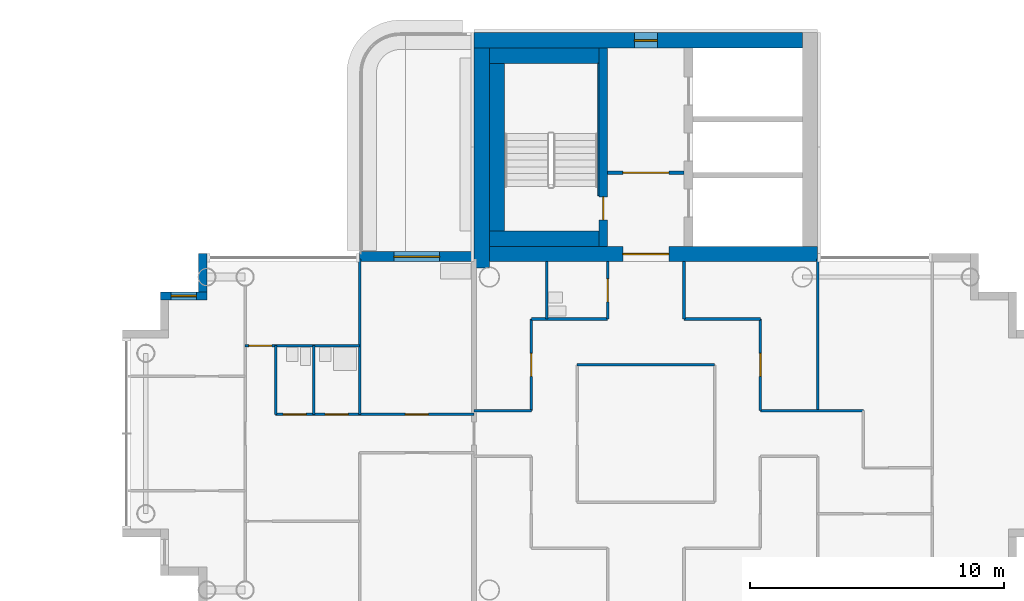
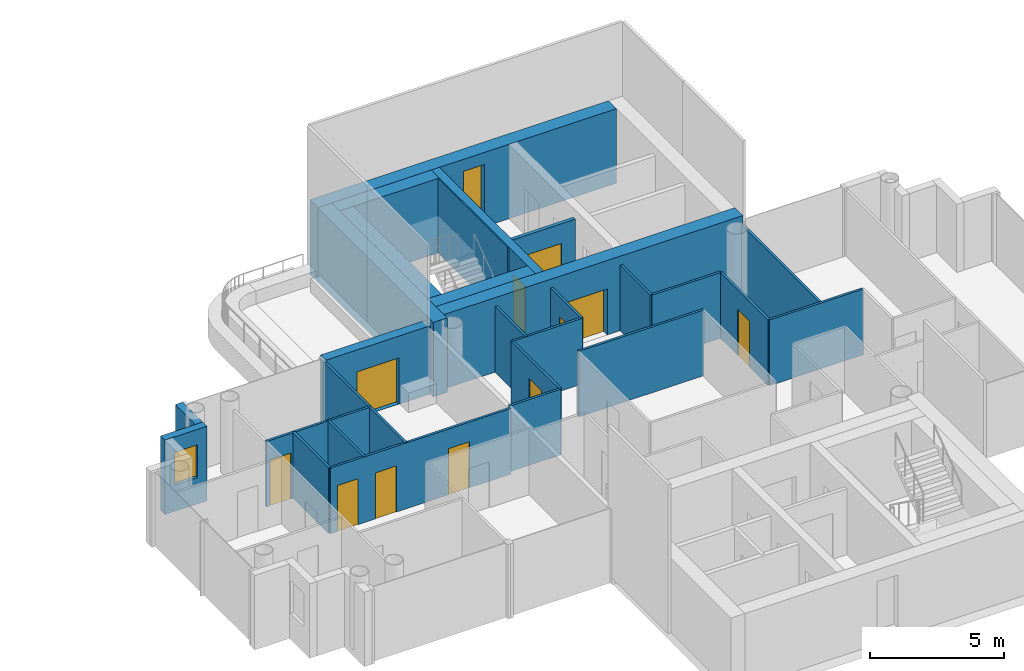
# One storey, part 10 of 18: 28 walls, 11 doors, 2 windows, 13 openings.
"""IFC4 building model written with IfcOpenShell, lengths in metres."""

from ifc_helpers import new_model, si_unit, direction, frame, frame_2d, origin, place, context, subcontext, project, spatial, rectangle, extrude, material, layer, layer_set, type_object, element, fill, save


model = new_model("IFC4")

# Units and contexts
model_context = context("Model", 3, precision=1e-05, world=origin(), true_north=direction((0.0, 1.0)))
body_context = subcontext(model_context, "Body", "Model", "MODEL_VIEW")
ifc_project = project(units=[si_unit("LENGTHUNIT", "METRE"), si_unit("AREAUNIT", "SQUARE_METRE"), si_unit("VOLUMEUNIT", "CUBIC_METRE"), si_unit("PLANEANGLEUNIT", "RADIAN"), si_unit("MASSUNIT", "GRAM", prefix="KILO")], contexts=[model_context])

# Site, building, storey
site_placement = place(None, origin())
site = spatial("IfcSite", under=ifc_project, at=site_placement, CompositionType="ELEMENT")
building_placement = place(site_placement, origin())
building = spatial("IfcBuilding", under=site, at=building_placement, Name="Ipe Terrace Towers", CompositionType="ELEMENT")
storey_placement = place(building_placement, frame((0.0, 0.0, 199.39990234375)))
storey = spatial("IfcBuildingStorey", under=building, at=storey_placement, Name="L55", CompositionType="ELEMENT", Elevation=199.39990234375)

# Wall, opening, door
ifc_material_1 = material(Name="Concrete C40/50 with buff precast cladding", Category="concrete")
ifc_layer_1 = layer(ifc_material_1, 0.39990234375)
ifc_layer_set_1 = layer_set([ifc_layer_1], Name="BALCONY BAY WALL 400")
wall_type_1 = type_object("IfcWallType", Name="BALCONY BAY WALL 400", PredefinedType="STANDARD", material=ifc_layer_set_1)
wall_1_placement = place(storey_placement, frame((29.25, 6.949951171875, -0.02001953125), z_axis=(0.0, 0.0, 1.0), x_axis=(-1.0, 0.0, 0.0)))
wall_1 = element("IfcWall", 1, at=wall_1_placement, inside=storey, type_object=wall_type_1, Name="T2-W-L55-20a wall", PredefinedType="STANDARD", context=body_context, shape_type="SweptSolid", body=[
    extrude(rectangle(XDim=4.5, YDim=0.39990234375, at=frame_2d((2.25, 0.0))), origin(), (0.0, 0.0, 1.0), 3.1201171875),
])
opening_1_placement = place(wall_1_placement, frame((1.35009765625, 0.0, 0.02001953125)))
opening_1 = element("IfcOpeningElement", 2, at=opening_1_placement, cuts=wall_1, Name="Opening T2-D-L55-20", PredefinedType="OPENING", context=body_context, shape_type="SweptSolid", body=[
    extrude(rectangle(XDim=1.800048828125, YDim=2.10009765625, at=frame_2d((0.89990234375, 1.050048828125))), frame((0.0, 0.2099609375, 0.0), z_axis=(0.0, -1.0, 0.0), x_axis=(1.0, 0.0, 0.0)), (0.0, 0.0, 1.0), 0.419921875),
])
ifc_material_2 = material(Name="Aluminium alloy 6063-T6 framed glazed door", Category="aluminium")
door_type_1 = type_object("IfcDoorType", Name="BALCONY DOOR 1800 x 2100 RIGHT", OperationType="SINGLE_SWING_RIGHT", PredefinedType="DOOR", material=ifc_material_2)
door_1_placement = place(opening_1_placement, origin())
door_1 = element("IfcDoor", 3, at=door_1_placement, inside=storey, type_object=door_type_1, Name="DB2 door", OperationType="SINGLE_SWING_RIGHT", OverallHeight=2.10009765625, OverallWidth=1.800048828125, PredefinedType="DOOR", context=body_context, shape_type="SweptSolid", body=[
    extrude(rectangle(XDim=1.800048828125, YDim=2.10009765625, at=frame_2d((0.89990234375, 1.050048828125))), frame((0.0, 0.02490234375, 0.0), z_axis=(0.0, -1.0, 0.0), x_axis=(1.0, 0.0, 0.0)), (0.0, 0.0, 1.0), 0.050048828125),
])
fill(opening_1, door_1)

# Wall
ifc_material_3 = material(Name="Concrete C40/50 with buff precast cladding", Category="concrete")
ifc_layer_2 = layer(ifc_material_3, 0.320068359375)
ifc_layer_set_2 = layer_set([ifc_layer_2], Name="BUFF CLADDING WALL 320")
wall_type_2 = type_object("IfcWallType", Name="BUFF CLADDING WALL 320", PredefinedType="STANDARD", material=ifc_layer_set_2)
wall_2_placement = place(storey_placement, frame((18.590087890625, 7.070068359375, -0.2998046875), z_axis=(0.0, 0.0, 1.0), x_axis=(0.0, -1.0, 0.0)))
element("IfcWall", 4, at=wall_2_placement, inside=storey, type_object=wall_type_2, Name="T2-W-L55-22a wall", PredefinedType="STANDARD", context=body_context, shape_type="SweptSolid", body=[
    extrude(rectangle(XDim=1.5, YDim=0.320068359375, at=frame_2d((0.75, 0.0))), origin(), (0.0, 0.0, 1.0), 3.39990234375),
])

# Wall, opening, window
wall_3_placement = place(storey_placement, frame((18.75, 5.409912109375, -0.2998046875), z_axis=(0.0, 0.0, 1.0), x_axis=(-1.0, 0.0, 0.0)))
wall_3 = element("IfcWall", 5, at=wall_3_placement, inside=storey, type_object=wall_type_2, Name="T2-W-L55-23a wall", PredefinedType="STANDARD", context=body_context, shape_type="SweptSolid", body=[
    extrude(rectangle(XDim=1.820068359375, YDim=0.320068359375, at=frame_2d((0.91015625, 0.0))), origin(), (0.0, 0.0, 1.0), 3.39990234375),
])
opening_2_placement = place(wall_3_placement, frame((0.409912109375, 0.0, 1.199951171875)))
opening_2 = element("IfcOpeningElement", 6, at=opening_2_placement, cuts=wall_3, Name="Opening T2-W-05-L55-02", PredefinedType="OPENING", context=body_context, shape_type="SweptSolid", body=[
    extrude(rectangle(XDim=1.0, YDim=1.5, at=frame_2d((0.5, 0.75))), frame((0.0, 0.169921875, 0.0), z_axis=(0.0, -1.0, 0.0), x_axis=(1.0, 0.0, 0.0)), (0.0, 0.0, 1.0), 0.340087890625),
])
ifc_material_4 = material(Name="Glass, clear laminated", Category="glass")
window_type_1 = type_object("IfcWindowType", Name="DWELLING WINDOW 1000 x 1500", PartitioningType="SINGLE_PANEL", PredefinedType="WINDOW", material=ifc_material_4)
window_1_placement = place(opening_2_placement, origin())
window_1 = element("IfcWindow", 7, at=window_1_placement, inside=storey, type_object=window_type_1, Name="W-05 window", OverallHeight=1.5, OverallWidth=1.0, PartitioningType="SINGLE_PANEL", PredefinedType="WINDOW", context=body_context, shape_type="SweptSolid", body=[
    extrude(rectangle(XDim=1.0, YDim=1.5, at=frame_2d((0.5, 0.75))), frame((0.0, 0.030029296875, 0.0), z_axis=(0.0, -1.0, 0.0), x_axis=(1.0, 0.0, 0.0)), (0.0, 0.0, 1.0), 0.06005859375),
])
fill(opening_2, window_1)

# Wall, openings, doors
ifc_material_5 = material(Name="Gypsum board partition", Category="plasterboard")
ifc_layer_3 = layer(ifc_material_5, 0.10009765625)
ifc_layer_set_3 = layer_set([ifc_layer_3], Name="Gypsum board partition 100 mm")
wall_type_3 = type_object("IfcWallType", Name="Gypsum board partition 100 mm", PredefinedType="PARTITIONING", material=ifc_layer_set_3)
wall_4_placement = place(storey_placement, frame((29.25, 0.75, 0.0), z_axis=(0.0, 0.0, 1.0), x_axis=(-1.0, 0.0, 0.0)))
wall_4 = element("IfcWall", 8, at=wall_4_placement, inside=storey, type_object=wall_type_3, Name="Gypsum board partition T2 L55 W11", PredefinedType="PARTITIONING", context=body_context, shape_type="SweptSolid", body=[
    extrude(rectangle(XDim=7.800048828125, YDim=0.10009765625, at=frame_2d((3.89990234375, 0.0))), origin(), (0.0, 0.0, 1.0), 3.0),
])
opening_3_placement = place(wall_4_placement, frame((1.800048828125, 0.0, 0.0)))
opening_3 = element("IfcOpeningElement", 9, at=opening_3_placement, cuts=wall_4, Name="Opening T2-Z4D-08", PredefinedType="OPENING", context=body_context, shape_type="SweptSolid", body=[
    extrude(rectangle(XDim=0.89990234375, YDim=2.10009765625, at=frame_2d((0.449951171875, 1.050048828125))), frame((0.0, 0.06005859375, 0.0), z_axis=(0.0, -1.0, 0.0), x_axis=(1.0, 0.0, 0.0)), (0.0, 0.0, 1.0), 0.1201171875),
])
opening_4_placement = place(wall_4_placement, frame((4.949951171875, 0.0, 0.0)))
opening_4 = element("IfcOpeningElement", 10, at=opening_4_placement, cuts=wall_4, Name="Opening T2-Z4D-10", PredefinedType="OPENING", context=body_context, shape_type="SweptSolid", body=[
    extrude(rectangle(XDim=0.89990234375, YDim=2.10009765625, at=frame_2d((0.449951171875, 1.050048828125))), frame((0.0, 0.06005859375, 0.0), z_axis=(0.0, -1.0, 0.0), x_axis=(1.0, 0.0, 0.0)), (0.0, 0.0, 1.0), 0.1201171875),
])
opening_5_placement = place(wall_4_placement, frame((6.60009765625, 0.0, 0.0)))
opening_5 = element("IfcOpeningElement", 11, at=opening_5_placement, cuts=wall_4, Name="Opening T2-Z4D-11", PredefinedType="OPENING", context=body_context, shape_type="SweptSolid", body=[
    extrude(rectangle(XDim=0.89990234375, YDim=2.10009765625, at=frame_2d((0.449951171875, 1.050048828125))), frame((0.0, 0.06005859375, 0.0), z_axis=(0.0, -1.0, 0.0), x_axis=(1.0, 0.0, 0.0)), (0.0, 0.0, 1.0), 0.1201171875),
])
ifc_material_6 = material(Name="Timber door leaf", Category="wood")
door_type_2 = type_object("IfcDoorType", Name="Bathroom door 900 x 2100", OperationType="NOTDEFINED", PredefinedType="DOOR", material=ifc_material_6)
door_2_placement = place(opening_4_placement, origin())
door_2 = element("IfcDoor", 12, at=door_2_placement, inside=storey, type_object=door_type_2, Name="Bathroom door T2-Z4D-10", OperationType="SINGLE_SWING_RIGHT", OverallHeight=2.10009765625, OverallWidth=0.89990234375, PredefinedType="DOOR", context=body_context, shape_type="SweptSolid", body=[
    extrude(rectangle(XDim=0.89990234375, YDim=2.10009765625, at=frame_2d((0.449951171875, 1.050048828125))), frame((0.0, 0.02490234375, 0.0), z_axis=(0.0, -1.0, 0.0), x_axis=(1.0, 0.0, 0.0)), (0.0, 0.0, 1.0), 0.050048828125),
])
fill(opening_4, door_2)
door_3_placement = place(opening_5_placement, origin())
door_3 = element("IfcDoor", 13, at=door_3_placement, inside=storey, type_object=door_type_2, Name="Bathroom door T2-Z4D-11", OperationType="SINGLE_SWING_RIGHT", OverallHeight=2.10009765625, OverallWidth=0.89990234375, PredefinedType="DOOR", context=body_context, shape_type="SweptSolid", body=[
    extrude(rectangle(XDim=0.89990234375, YDim=2.10009765625, at=frame_2d((0.449951171875, 1.050048828125))), frame((0.0, 0.02490234375, 0.0), z_axis=(0.0, -1.0, 0.0), x_axis=(1.0, 0.0, 0.0)), (0.0, 0.0, 1.0), 0.050048828125),
])
fill(opening_5, door_3)
ifc_material_7 = material(Name="Timber door leaf", Category="wood")
door_type_3 = type_object("IfcDoorType", Name="Lounge door 900 x 2100", OperationType="NOTDEFINED", PredefinedType="DOOR", material=ifc_material_7)
door_4_placement = place(opening_3_placement, origin())
door_4 = element("IfcDoor", 14, at=door_4_placement, inside=storey, type_object=door_type_3, Name="Lounge door T2-Z4D-08", OperationType="SINGLE_SWING_LEFT", OverallHeight=2.10009765625, OverallWidth=0.89990234375, PredefinedType="DOOR", context=body_context, shape_type="SweptSolid", body=[
    extrude(rectangle(XDim=0.89990234375, YDim=2.10009765625, at=frame_2d((0.449951171875, 1.050048828125))), frame((0.0, 0.02490234375, 0.0), z_axis=(0.0, -1.0, 0.0), x_axis=(1.0, 0.0, 0.0)), (0.0, 0.0, 1.0), 0.050048828125),
])
fill(opening_3, door_4)

# Walls
wall_5_placement = place(storey_placement, frame((44.550048828125, 0.89990234375, 0.0), z_axis=(0.0, 0.0, 1.0), x_axis=(-1.0, 0.0, 0.0)))
element("IfcWall", 15, at=wall_5_placement, inside=storey, type_object=wall_type_3, Name="Gypsum board partition T2 L55 W12", PredefinedType="PARTITIONING", context=body_context, shape_type="SweptSolid", body=[
    extrude(rectangle(XDim=4.050048828125, YDim=0.10009765625, at=frame_2d((2.02490234375, 0.0))), origin(), (0.0, 0.0, 1.0), 3.0),
])
wall_6_placement = place(storey_placement, frame((31.5, 0.89990234375, 0.0), z_axis=(0.0, 0.0, 1.0), x_axis=(-1.0, 0.0, 0.0)))
element("IfcWall", 16, at=wall_6_placement, inside=storey, type_object=wall_type_3, Name="Gypsum board partition T2 L55 W13", PredefinedType="PARTITIONING", context=body_context, shape_type="SweptSolid", body=[
    extrude(rectangle(XDim=2.25, YDim=0.10009765625, at=frame_2d((1.125, 0.0))), origin(), (0.0, 0.0, 1.0), 3.0),
])
wall_7_placement = place(storey_placement, frame((38.699951171875, 2.699951171875, 0.0), z_axis=(0.0, 0.0, 1.0), x_axis=(-1.0, 0.0, 0.0)))
element("IfcWall", 17, at=wall_7_placement, inside=storey, type_object=wall_type_3, Name="Gypsum board partition T2 L55 W15", PredefinedType="PARTITIONING", context=body_context, shape_type="SweptSolid", body=[
    extrude(rectangle(XDim=5.39990234375, YDim=0.10009765625, at=frame_2d((2.699951171875, 0.0))), origin(), (0.0, 0.0, 1.0), 3.0),
])

# Wall, opening, door
wall_8_placement = place(storey_placement, frame((24.75, 3.449951171875, 0.0), z_axis=(0.0, 0.0, 1.0), x_axis=(-1.0, 0.0, 0.0)))
wall_8 = element("IfcWall", 18, at=wall_8_placement, inside=storey, type_object=wall_type_3, Name="Gypsum board partition T2 L55 W16", PredefinedType="PARTITIONING", context=body_context, shape_type="SweptSolid", body=[
    extrude(rectangle(XDim=4.5, YDim=0.10009765625, at=frame_2d((2.25, 0.0))), origin(), (0.0, 0.0, 1.0), 3.0),
])
opening_6_placement = place(wall_8_placement, frame((3.449951171875, 0.0, 0.0)))
opening_6 = element("IfcOpeningElement", 19, at=opening_6_placement, cuts=wall_8, Name="Opening T2-Z4D-13", PredefinedType="OPENING", context=body_context, shape_type="SweptSolid", body=[
    extrude(rectangle(XDim=0.89990234375, YDim=2.10009765625, at=frame_2d((0.449951171875, 1.050048828125))), frame((0.0, 0.06005859375, 0.0), z_axis=(0.0, -1.0, 0.0), x_axis=(1.0, 0.0, 0.0)), (0.0, 0.0, 1.0), 0.1201171875),
])
ifc_material_8 = material(Name="Timber door leaf", Category="wood")
door_type_4 = type_object("IfcDoorType", Name="Bedroom door 900 x 2100", OperationType="NOTDEFINED", PredefinedType="DOOR", material=ifc_material_8)
door_5_placement = place(opening_6_placement, origin())
door_5 = element("IfcDoor", 20, at=door_5_placement, inside=storey, type_object=door_type_4, Name="Bedroom door T2-Z4D-13", OperationType="SINGLE_SWING_RIGHT", OverallHeight=2.10009765625, OverallWidth=0.89990234375, PredefinedType="DOOR", context=body_context, shape_type="SweptSolid", body=[
    extrude(rectangle(XDim=0.89990234375, YDim=2.10009765625, at=frame_2d((0.449951171875, 1.050048828125))), frame((0.0, 0.02490234375, 0.0), z_axis=(0.0, -1.0, 0.0), x_axis=(1.0, 0.0, 0.0)), (0.0, 0.0, 1.0), 0.050048828125),
])
fill(opening_6, door_5)

# Walls
for number, where, z_axis, x_axis, name in (
    (21, (40.5, 4.5, 0.0), (0.0, 0.0, 1.0), (-1.0, 0.0, 0.0), "Gypsum board partition T2 L55 W17"),
    (22, (34.5, 4.5, 0.0), (0.0, 0.0, 1.0), (-1.0, 0.0, 0.0), "Gypsum board partition T2 L55 W18"),
):
    element("IfcWall", number, at=place(storey_placement, frame(where, z_axis=z_axis, x_axis=x_axis)), inside=storey, type_object=wall_type_3, Name=name, PredefinedType="PARTITIONING", context=body_context, shape_type="SweptSolid", body=[
        extrude(rectangle(XDim=3.0, YDim=0.10009765625, at=frame_2d((1.5, 0.0))), origin(), (0.0, 0.0, 1.0), 3.0),
    ])
wall_9_placement = place(storey_placement, frame((42.75, 0.89990234375, 0.0), z_axis=(0.0, 0.0, 1.0), x_axis=(0.0, 1.0, 0.0)))
element("IfcWall", 23, at=wall_9_placement, inside=storey, type_object=wall_type_3, Name="Gypsum board partition T2 L55 W22", PredefinedType="PARTITIONING", context=body_context, shape_type="SweptSolid", body=[
    extrude(rectangle(XDim=5.9501953125, YDim=0.10009765625, at=frame_2d((2.97509765625, 0.0))), origin(), (0.0, 0.0, 1.0), 3.0),
])

# Wall, opening, door
wall_10_placement = place(storey_placement, frame((40.5, 0.89990234375, 0.0), z_axis=(0.0, 0.0, 1.0), x_axis=(0.0, 1.0, 0.0)))
wall_10 = element("IfcWall", 24, at=wall_10_placement, inside=storey, type_object=wall_type_3, Name="Gypsum board partition T2 L55 W24", PredefinedType="PARTITIONING", context=body_context, shape_type="SweptSolid", body=[
    extrude(rectangle(XDim=3.60009765625, YDim=0.10009765625, at=frame_2d((1.800048828125, 0.0))), origin(), (0.0, 0.0, 1.0), 3.0),
])
opening_7_placement = place(wall_10_placement, frame((1.35009765625, 0.0, 0.0)))
opening_7 = element("IfcOpeningElement", 25, at=opening_7_placement, cuts=wall_10, Name="Opening T2-Z4D-06", PredefinedType="OPENING", context=body_context, shape_type="SweptSolid", body=[
    extrude(rectangle(XDim=0.89990234375, YDim=2.10009765625, at=frame_2d((0.449951171875, 1.050048828125))), frame((0.0, 0.06005859375, 0.0), z_axis=(0.0, -1.0, 0.0), x_axis=(1.0, 0.0, 0.0)), (0.0, 0.0, 1.0), 0.1201171875),
])
door_6_placement = place(opening_7_placement, origin())
door_6 = element("IfcDoor", 26, at=door_6_placement, inside=storey, type_object=door_type_3, Name="Lounge door T2-Z4D-06", OperationType="SINGLE_SWING_LEFT", OverallHeight=2.10009765625, OverallWidth=0.89990234375, PredefinedType="DOOR", context=body_context, shape_type="SweptSolid", body=[
    extrude(rectangle(XDim=0.89990234375, YDim=2.10009765625, at=frame_2d((0.449951171875, 1.050048828125))), frame((0.0, 0.02490234375, 0.0), z_axis=(0.0, -1.0, 0.0), x_axis=(1.0, 0.0, 0.0)), (0.0, 0.0, 1.0), 0.050048828125),
])
fill(opening_7, door_6)

# Wall
wall_11_placement = place(storey_placement, frame((37.5, 4.5, 0.0), z_axis=(0.0, 0.0, 1.0), x_axis=(0.0, 1.0, 0.0)))
element("IfcWall", 27, at=wall_11_placement, inside=storey, type_object=wall_type_3, Name="Gypsum board partition T2 L55 W27", PredefinedType="PARTITIONING", context=body_context, shape_type="SweptSolid", body=[
    extrude(rectangle(XDim=2.25, YDim=0.10009765625, at=frame_2d((1.125, 0.0))), origin(), (0.0, 0.0, 1.0), 3.0),
])

# Wall, opening, door
wall_12_placement = place(storey_placement, frame((34.5, 4.5, 0.0), z_axis=(0.0, 0.0, 1.0), x_axis=(0.0, 1.0, 0.0)))
wall_12 = element("IfcWall", 28, at=wall_12_placement, inside=storey, type_object=wall_type_3, Name="Gypsum board partition T2 L55 W29", PredefinedType="PARTITIONING", context=body_context, shape_type="SweptSolid", body=[
    extrude(rectangle(XDim=2.25, YDim=0.10009765625, at=frame_2d((1.125, 0.0))), origin(), (0.0, 0.0, 1.0), 3.0),
])
opening_8_placement = place(wall_12_placement, frame((0.675048828125, 0.0, 0.0)))
opening_8 = element("IfcOpeningElement", 29, at=opening_8_placement, cuts=wall_12, Name="Opening T2-Z4D-02", PredefinedType="OPENING", context=body_context, shape_type="SweptSolid", body=[
    extrude(rectangle(XDim=0.89990234375, YDim=2.10009765625, at=frame_2d((0.449951171875, 1.050048828125))), frame((0.0, 0.06005859375, 0.0), z_axis=(0.0, -1.0, 0.0), x_axis=(1.0, 0.0, 0.0)), (0.0, 0.0, 1.0), 0.1201171875),
])
door_7_placement = place(opening_8_placement, origin())
door_7 = element("IfcDoor", 30, at=door_7_placement, inside=storey, type_object=door_type_2, Name="Bathroom door T2-Z4D-02", OperationType="SINGLE_SWING_LEFT", OverallHeight=2.10009765625, OverallWidth=0.89990234375, PredefinedType="DOOR", context=body_context, shape_type="SweptSolid", body=[
    extrude(rectangle(XDim=0.89990234375, YDim=2.10009765625, at=frame_2d((0.449951171875, 1.050048828125))), frame((0.0, 0.02490234375, 0.0), z_axis=(0.0, -1.0, 0.0), x_axis=(1.0, 0.0, 0.0)), (0.0, 0.0, 1.0), 0.050048828125),
])
fill(opening_8, door_7)

# Wall
wall_13_placement = place(storey_placement, frame((32.10009765625, 4.5, 0.0), z_axis=(0.0, 0.0, 1.0), x_axis=(0.0, 1.0, 0.0)))
element("IfcWall", 31, at=wall_13_placement, inside=storey, type_object=wall_type_3, Name="Gypsum board partition T2 L55 W31", PredefinedType="PARTITIONING", context=body_context, shape_type="SweptSolid", body=[
    extrude(rectangle(XDim=2.25, YDim=0.10009765625, at=frame_2d((1.125, 0.0))), origin(), (0.0, 0.0, 1.0), 3.0),
])

# Wall, opening, door
wall_14_placement = place(storey_placement, frame((31.5, 0.89990234375, 0.0), z_axis=(0.0, 0.0, 1.0), x_axis=(0.0, 1.0, 0.0)))
wall_14 = element("IfcWall", 32, at=wall_14_placement, inside=storey, type_object=wall_type_3, Name="Gypsum board partition T2 L55 W33", PredefinedType="PARTITIONING", context=body_context, shape_type="SweptSolid", body=[
    extrude(rectangle(XDim=3.60009765625, YDim=0.10009765625, at=frame_2d((1.800048828125, 0.0))), origin(), (0.0, 0.0, 1.0), 3.0),
])
opening_9_placement = place(wall_14_placement, frame((1.35009765625, 0.0, 0.0)))
opening_9 = element("IfcOpeningElement", 33, at=opening_9_placement, cuts=wall_14, Name="Opening T2-Z4D-03", PredefinedType="OPENING", context=body_context, shape_type="SweptSolid", body=[
    extrude(rectangle(XDim=0.89990234375, YDim=2.10009765625, at=frame_2d((0.449951171875, 1.050048828125))), frame((0.0, 0.06005859375, 0.0), z_axis=(0.0, -1.0, 0.0), x_axis=(1.0, 0.0, 0.0)), (0.0, 0.0, 1.0), 0.1201171875),
])
door_8_placement = place(opening_9_placement, origin())
door_8 = element("IfcDoor", 34, at=door_8_placement, inside=storey, type_object=door_type_3, Name="Lounge door T2-Z4D-03", OperationType="SINGLE_SWING_LEFT", OverallHeight=2.10009765625, OverallWidth=0.89990234375, PredefinedType="DOOR", context=body_context, shape_type="SweptSolid", body=[
    extrude(rectangle(XDim=0.89990234375, YDim=2.10009765625, at=frame_2d((0.449951171875, 1.050048828125))), frame((0.0, 0.02490234375, 0.0), z_axis=(0.0, -1.0, 0.0), x_axis=(1.0, 0.0, 0.0)), (0.0, 0.0, 1.0), 0.050048828125),
])
fill(opening_9, door_8)

# Walls
wall_15_placement = place(storey_placement, frame((24.75, 0.75, 0.0), z_axis=(0.0, 0.0, 1.0), x_axis=(0.0, 1.0, 0.0)))
element("IfcWall", 35, at=wall_15_placement, inside=storey, type_object=wall_type_3, Name="Gypsum board partition T2 L55 W36", PredefinedType="PARTITIONING", context=body_context, shape_type="SweptSolid", body=[
    extrude(rectangle(XDim=6.10009765625, YDim=0.10009765625, at=frame_2d((3.050048828125, 0.0))), origin(), (0.0, 0.0, 1.0), 3.0),
])
for number, where, z_axis, x_axis, name in (
    (36, (22.949951171875, 0.75, 0.0), (0.0, 0.0, 1.0), (0.0, 1.0, 0.0), "Gypsum board partition T2 L55 W37"),
    (37, (21.449951171875, 0.75, 0.0), (0.0, 0.0, 1.0), (0.0, 1.0, 0.0), "Gypsum board partition T2 L55 W38"),
):
    element("IfcWall", number, at=place(storey_placement, frame(where, z_axis=z_axis, x_axis=x_axis)), inside=storey, type_object=wall_type_3, Name=name, PredefinedType="PARTITIONING", context=body_context, shape_type="SweptSolid", body=[
        extrude(rectangle(XDim=2.699951171875, YDim=0.10009765625, at=frame_2d((1.35009765625, 0.0))), origin(), (0.0, 0.0, 1.0), 3.0),
    ])

# Wall, opening, door
ifc_material_9 = material(Name="Gypsum board partition", Category="plasterboard")
ifc_layer_4 = layer(ifc_material_9, 0.14990234375)
ifc_layer_set_4 = layer_set([ifc_layer_4], Name="Gypsum board partition 150 mm")
wall_type_4 = type_object("IfcWallType", Name="Gypsum board partition 150 mm", PredefinedType="PARTITIONING", material=ifc_layer_set_4)
wall_16_placement = place(storey_placement, frame((37.5, 10.25, 0.0), z_axis=(0.0, 0.0, 1.0), x_axis=(-1.0, 0.0, 0.0)))
wall_16 = element("IfcWall", 38, at=wall_16_placement, inside=storey, type_object=wall_type_4, Name="Gypsum board partition T2 L55 t2c1-lobby-wall", PredefinedType="PARTITIONING", context=body_context, shape_type="SweptSolid", body=[
    extrude(rectangle(XDim=3.0, YDim=0.14990234375, at=frame_2d((1.5, 0.0))), origin(), (0.0, 0.0, 1.0), 3.0),
])
opening_10_placement = place(wall_16_placement, frame((0.60009765625, 0.0, 0.0)))
opening_10 = element("IfcOpeningElement", 39, at=opening_10_placement, cuts=wall_16, Name="Opening T2C1-VD", PredefinedType="OPENING", context=body_context, shape_type="SweptSolid", body=[
    extrude(rectangle(XDim=1.800048828125, YDim=2.10009765625, at=frame_2d((0.89990234375, 1.050048828125))), frame((0.0, 0.0849609375, 0.0), z_axis=(0.0, -1.0, 0.0), x_axis=(1.0, 0.0, 0.0)), (0.0, 0.0, 1.0), 0.169921875),
])
ifc_material_10 = material(Name="Fire-rated timber door leaf", Category="wood")
door_type_5 = type_object("IfcDoorType", Name="Lobby door 1800 x 2100 FD60", OperationType="NOTDEFINED", PredefinedType="DOOR", material=ifc_material_10)
door_9_placement = place(opening_10_placement, origin())
door_9 = element("IfcDoor", 40, at=door_9_placement, inside=storey, type_object=door_type_5, Name="Lobby door T2C1-VD", OperationType="SINGLE_SWING_LEFT", OverallHeight=2.10009765625, OverallWidth=1.800048828125, PredefinedType="DOOR", context=body_context, shape_type="SweptSolid", body=[
    extrude(rectangle(XDim=1.800048828125, YDim=2.10009765625, at=frame_2d((0.89990234375, 1.050048828125))), frame((0.0, 0.02490234375, 0.0), z_axis=(0.0, -1.0, 0.0), x_axis=(1.0, 0.0, 0.0)), (0.0, 0.0, 1.0), 0.050048828125),
])
fill(opening_10, door_9)

ifc_material_11 = material(Name="Concrete C40/50", Category="concrete")
ifc_layer_5 = layer(ifc_material_11, 0.35009765625)
ifc_layer_set_5 = layer_set([ifc_layer_5], Name="RW350 CORE SPINE WALL 350 C40-50")
wall_type_5 = type_object("IfcWallType", Name="RW350 CORE SPINE WALL 350 C40-50", PredefinedType="SHEAR", material=ifc_layer_set_5)
wall_17_placement = place(storey_placement, frame((34.324951171875, 7.35009765625, 0.0), z_axis=(0.0, 0.0, 1.0), x_axis=(0.0, 1.0, 0.0)))
wall_17 = element("IfcWall", 41, at=wall_17_placement, inside=storey, type_object=wall_type_5, Name="Core spine wall T2-C1-Z4-SW1", PredefinedType="SHEAR", context=body_context, shape_type="SweptSolid", body=[
    extrude(rectangle(XDim=7.7998046875, YDim=0.35009765625, at=frame_2d((3.89990234375, 0.0))), origin(), (0.0, 0.0, 1.0), 3.400146484375),
])
opening_11_placement = place(wall_17_placement, frame((1.050048828125, 0.0, 0.0)))
opening_11 = element("IfcOpeningElement", 42, at=opening_11_placement, cuts=wall_17, Name="Opening T2C1-SD", PredefinedType="OPENING", context=body_context, shape_type="SweptSolid", body=[
    extrude(rectangle(XDim=0.89990234375, YDim=2.10009765625, at=frame_2d((0.449951171875, 1.050048828125))), frame((0.0, 0.18505859375, 0.0), z_axis=(0.0, -1.0, 0.0), x_axis=(1.0, 0.0, 0.0)), (0.0, 0.0, 1.0), 0.3701171875),
])
ifc_material_12 = material(Name="Fire-rated timber door leaf", Category="wood")
door_type_6 = type_object("IfcDoorType", Name="Stair door 900 x 2100 FD60", OperationType="NOTDEFINED", PredefinedType="DOOR", material=ifc_material_12)
door_10_placement = place(opening_11_placement, origin())
door_10 = element("IfcDoor", 43, at=door_10_placement, inside=storey, type_object=door_type_6, Name="Stair door T2C1-SD", OperationType="SINGLE_SWING_LEFT", OverallHeight=2.10009765625, OverallWidth=0.89990234375, PredefinedType="DOOR", context=body_context, shape_type="SweptSolid", body=[
    extrude(rectangle(XDim=0.89990234375, YDim=2.10009765625, at=frame_2d((0.449951171875, 1.050048828125))), frame((0.0, 0.02490234375, 0.0), z_axis=(0.0, -1.0, 0.0), x_axis=(1.0, 0.0, 0.0)), (0.0, 0.0, 1.0), 0.050048828125),
])
fill(opening_11, door_10)

# Walls
ifc_material_13 = material(Name="Concrete C40/50", Category="concrete")
ifc_layer_6 = layer(ifc_material_13, 0.050048828125)
ifc_layer_set_6 = layer_set([ifc_layer_6], Name="RW50 CORE INFILL WALL 50 C40-50")
wall_type_6 = type_object("IfcWallType", Name="RW50 CORE INFILL WALL 50 C40-50", PredefinedType="SHEAR", material=ifc_layer_set_6)
wall_18_placement = place(storey_placement, frame((34.125, 9.35009765625, 0.0), z_axis=(0.0, 0.0, 1.0), x_axis=(0.0, 1.0, 0.0)))
element("IfcWall", 44, at=wall_18_placement, inside=storey, type_object=wall_type_6, Name="Core infill wall T2-C1-spine-b", PredefinedType="SHEAR", context=body_context, shape_type="SweptSolid", body=[
    extrude(rectangle(XDim=5.199951171875, YDim=0.050048828125, at=frame_2d((2.60009765625, 0.0))), origin(), (0.0, 0.0, 1.0), 3.400146484375),
])
ifc_material_14 = material(Name="Concrete C40/50", Category="concrete")
ifc_layer_7 = layer(ifc_material_14, 0.60009765625)
ifc_layer_set_7 = layer_set([ifc_layer_7], Name="RW600 CORE INFILL WALL 600 C40-50")
wall_type_7 = type_object("IfcWallType", Name="RW600 CORE INFILL WALL 600 C40-50", PredefinedType="SHEAR", material=ifc_layer_set_7)
wall_19_placement = place(storey_placement, frame((34.14990234375, 14.85009765625, 0.0), z_axis=(0.0, 0.0, 1.0), x_axis=(-1.0, 0.0, 0.0)))
element("IfcWall", 45, at=wall_19_placement, inside=storey, type_object=wall_type_7, Name="Core infill wall T2-C1-far", PredefinedType="SHEAR", context=body_context, shape_type="SweptSolid", body=[
    extrude(rectangle(XDim=4.2998046875, YDim=0.60009765625, at=frame_2d((2.14990234375, 0.0))), origin(), (0.0, 0.0, 1.0), 3.400146484375),
])
wall_20_placement = place(storey_placement, frame((30.14990234375, 7.949951171875, 0.0), z_axis=(0.0, 0.0, 1.0), x_axis=(0.0, 1.0, 0.0)))
element("IfcWall", 46, at=wall_20_placement, inside=storey, type_object=wall_type_7, Name="Core infill wall T2-C1-back", PredefinedType="SHEAR", context=body_context, shape_type="SweptSolid", body=[
    extrude(rectangle(XDim=6.60009765625, YDim=0.60009765625, at=frame_2d((3.300048828125, 0.0))), origin(), (0.0, 0.0, 1.0), 3.400146484375),
])
wall_21_placement = place(storey_placement, frame((34.14990234375, 7.64990234375, 0.0), z_axis=(0.0, 0.0, 1.0), x_axis=(-1.0, 0.0, 0.0)))
element("IfcWall", 47, at=wall_21_placement, inside=storey, type_object=wall_type_7, Name="Core infill wall T2-C1-near", PredefinedType="SHEAR", context=body_context, shape_type="SweptSolid", body=[
    extrude(rectangle(XDim=4.2998046875, YDim=0.60009765625, at=frame_2d((2.14990234375, 0.0))), origin(), (0.0, 0.0, 1.0), 3.400146484375),
])

# Wall, opening, door
ifc_material_15 = material(Name="Concrete C40/50", Category="concrete")
ifc_layer_8 = layer(ifc_material_15, 0.60009765625)
ifc_layer_set_8 = layer_set([ifc_layer_8], Name="RW600 CORE WALL 600 C40-50")
wall_type_8 = type_object("IfcWallType", Name="RW600 CORE WALL 600 C40-50", PredefinedType="SHEAR", material=ifc_layer_set_8)
wall_22_placement = place(storey_placement, frame((29.85009765625, 7.050048828125, 0.0), z_axis=(0.0, 0.0, 1.0), x_axis=(1.0, 0.0, 0.0)))
wall_22 = element("IfcWall", 48, at=wall_22_placement, inside=storey, type_object=wall_type_8, Name="Core wall T2-C1-Z4-W01", PredefinedType="SHEAR", context=body_context, shape_type="SweptSolid", body=[
    extrude(rectangle(XDim=12.89990234375, YDim=0.60009765625, at=frame_2d((6.449951171875, 0.0))), origin(), (0.0, 0.0, 1.0), 3.400146484375),
])
opening_12_placement = place(wall_22_placement, frame((5.25, 0.0, 0.0)))
opening_12 = element("IfcOpeningElement", 49, at=opening_12_placement, cuts=wall_22, Name="Opening T2C1-ND", PredefinedType="OPENING", context=body_context, shape_type="SweptSolid", body=[
    extrude(rectangle(XDim=1.800048828125, YDim=2.10009765625, at=frame_2d((0.89990234375, 1.050048828125))), frame((0.0, 0.31005859375, 0.0), z_axis=(0.0, -1.0, 0.0), x_axis=(1.0, 0.0, 0.0)), (0.0, 0.0, 1.0), 0.6201171875),
])
ifc_material_16 = material(Name="Fire-rated timber door leaf", Category="wood")
door_type_7 = type_object("IfcDoorType", Name="Fire door 1800 x 2100 FD30S", OperationType="NOTDEFINED", PredefinedType="DOOR", material=ifc_material_16)
door_11_placement = place(opening_12_placement, origin())
door_11 = element("IfcDoor", 50, at=door_11_placement, inside=storey, type_object=door_type_7, Name="Fire door T2C1-ND", OperationType="SINGLE_SWING_LEFT", OverallHeight=2.10009765625, OverallWidth=1.800048828125, PredefinedType="DOOR", context=body_context, shape_type="SweptSolid", body=[
    extrude(rectangle(XDim=1.800048828125, YDim=2.10009765625, at=frame_2d((0.89990234375, 1.050048828125))), frame((0.0, 0.02490234375, 0.0), z_axis=(0.0, -1.0, 0.0), x_axis=(1.0, 0.0, 0.0)), (0.0, 0.0, 1.0), 0.050048828125),
])
fill(opening_12, door_11)

# Wall, opening, window
wall_23_placement = place(storey_placement, frame((42.14990234375, 15.449951171875, 0.0), z_axis=(0.0, 0.0, 1.0), x_axis=(-1.0, 0.0, 0.0)))
wall_23 = element("IfcWall", 51, at=wall_23_placement, inside=storey, type_object=wall_type_8, Name="Core wall T2-C1-Z4-W03", PredefinedType="SHEAR", context=body_context, shape_type="SweptSolid", body=[
    extrude(rectangle(XDim=12.89990234375, YDim=0.60009765625, at=frame_2d((6.449951171875, 0.0))), origin(), (0.0, 0.0, 1.0), 3.400146484375),
])
opening_13_placement = place(wall_23_placement, frame((5.699951171875, 0.0, 0.449951171875)))
opening_13 = element("IfcOpeningElement", 52, at=opening_13_placement, cuts=wall_23, Name="Opening T2-C1-W-01-L55", PredefinedType="OPENING", context=body_context, shape_type="SweptSolid", body=[
    extrude(rectangle(XDim=0.89990234375, YDim=2.39990234375, at=frame_2d((0.449951171875, 1.199951171875))), frame((0.0, 0.31005859375, 0.0), z_axis=(0.0, -1.0, 0.0), x_axis=(1.0, 0.0, 0.0)), (0.0, 0.0, 1.0), 0.6201171875),
])
ifc_material_17 = material(Name="Fire-resistant glazing EI 60", Category="glass")
window_type_2 = type_object("IfcWindowType", Name="CORRIDOR END SLOT WINDOW 900 x 2400 EI 60", PartitioningType="SINGLE_PANEL", PredefinedType="WINDOW", material=ifc_material_17)
window_2_placement = place(opening_13_placement, origin())
window_2 = element("IfcWindow", 53, at=window_2_placement, inside=storey, type_object=window_type_2, Name="W-01 window", OverallHeight=2.39990234375, OverallWidth=0.89990234375, PartitioningType="SINGLE_PANEL", PredefinedType="WINDOW", context=body_context, shape_type="SweptSolid", body=[
    extrude(rectangle(XDim=0.89990234375, YDim=2.39990234375, at=frame_2d((0.449951171875, 1.199951171875))), frame((0.0, 0.030029296875, 0.0), z_axis=(0.0, -1.0, 0.0), x_axis=(1.0, 0.0, 0.0)), (0.0, 0.0, 1.0), 0.06005859375),
])
fill(opening_13, window_2)

# Wall
wall_24_placement = place(storey_placement, frame((29.550048828125, 15.14990234375, 0.0), z_axis=(0.0, 0.0, 1.0), x_axis=(0.0, -1.0, 0.0)))
element("IfcWall", 54, at=wall_24_placement, inside=storey, type_object=wall_type_8, Name="Core wall T2-C1-Z4-W04", PredefinedType="SHEAR", context=body_context, shape_type="SweptSolid", body=[
    extrude(rectangle(XDim=8.64794921875, YDim=0.60009765625, at=frame_2d((4.323974609375, 0.0))), origin(), (0.0, 0.0, 1.0), 3.400146484375),
])

save(model, "model.ifc")
